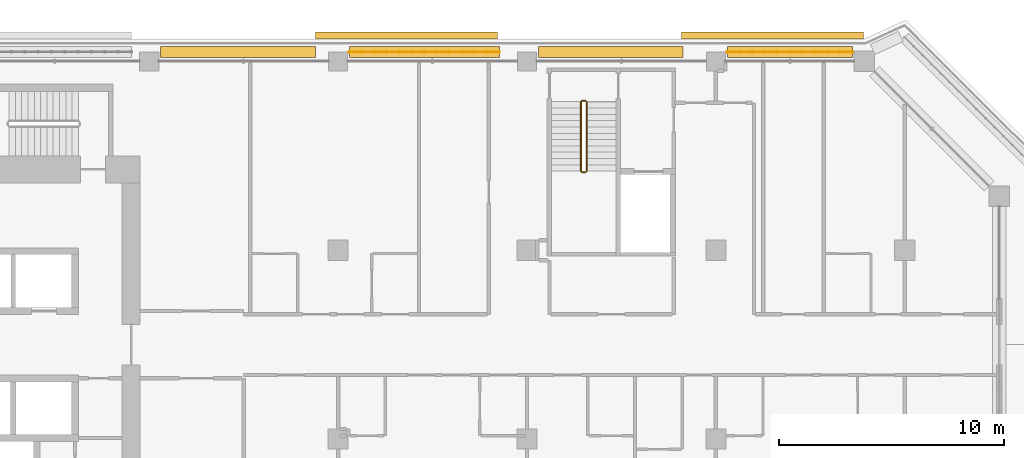
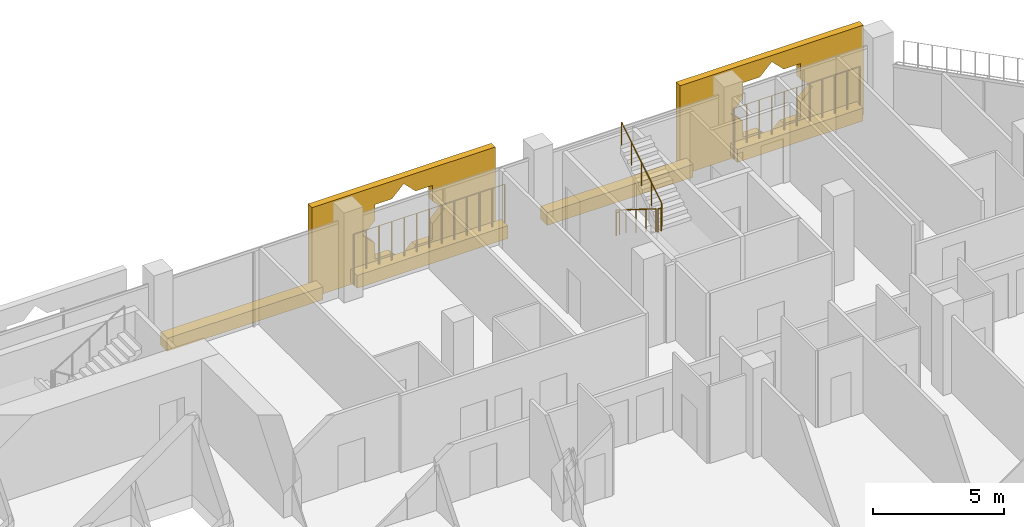
# One storey, part 22 of 23: 6 coverings, 6 railings.
"""IFC4 building model written with IfcOpenShell, lengths in metres."""

from ifc_helpers import new_model, si_unit, direction, frame, origin, origin_2d, place, context, subcontext, project, spatial, polyline, rectangle, circle, outline, extrude, material, material_profile, profile_set, type_object, element, save


model = new_model("IFC4")

# Units and contexts
model_context = context("Model", 3, precision=1e-05, world=origin(), true_north=direction((0.0, 1.0)))
body_context = subcontext(model_context, "Body", "Model", "MODEL_VIEW")
ifc_project = project(units=[si_unit("LENGTHUNIT", "METRE"), si_unit("AREAUNIT", "SQUARE_METRE"), si_unit("VOLUMEUNIT", "CUBIC_METRE"), si_unit("PLANEANGLEUNIT", "RADIAN"), si_unit("MASSUNIT", "GRAM", prefix="KILO")], contexts=[model_context])

# Site, building, storey
site_placement = place(None, origin())
site = spatial("IfcSite", under=ifc_project, at=site_placement, CompositionType="ELEMENT")
building_placement = place(site_placement, origin())
building = spatial("IfcBuilding", under=site, at=building_placement, Name="Kawkab Arch Medical Tower", CompositionType="ELEMENT")
storey_placement = place(building_placement, frame((0.0, 0.0, 247.39990234375)))
storey = spatial("IfcBuildingStorey", under=building, at=storey_placement, Name="L57", CompositionType="ELEMENT", Elevation=247.39990234375)

# Coverings
ifc_material_1 = material(Name="Bronze anodised aluminium mashrabiya panel, eight-point star pattern", Category="aluminium")
ifc_material_profile_1 = material_profile(ifc_material_1, outline(polyline([(-4.050048828125, -2.10009765625), (4.050048828125, -2.10009765625), (4.050048828125, 2.10009765625), (-4.050048828125, 2.10009765625), (-4.050048828125, -2.10009765625)]), holes=[polyline([(1.800048828125, 0.0), (1.272705078125, 0.527099609375), (1.272705078125, 1.272705078125), (0.527099609375, 1.272705078125), (0.0, 1.800048828125), (-0.527099609375, 1.272705078125), (-1.272705078125, 1.272705078125), (-1.272705078125, 0.527099609375), (-1.800048828125, 0.0), (-1.272705078125, -0.527099609375), (-1.272705078125, -1.272705078125), (-0.527099609375, -1.272705078125), (0.0, -1.800048828125), (0.527099609375, -1.272705078125), (1.272705078125, -1.272705078125), (1.272705078125, -0.527099609375), (1.800048828125, 0.0)])]), Name="Mashrabiya panel 8100x4200")
ifc_profile_set_1 = profile_set([ifc_material_profile_1], Name="Bronze anodised aluminium mashrabiya panel, eight-point star pattern")
covering_type_1 = type_object("IfcCoveringType", Name="Mashrabiya panel 8100 x 4200", PredefinedType="USERDEFINED", material=ifc_profile_set_1)
for number, where, z_axis, x_axis, name in (
    (1, (36.6435546875, 1.0, 1.7001953125), (0.0, 1.0, 0.0), (-1.0, 0.0, 0.0), "Mashrabiya panel L57.LOG-01-01.7"),
    (2, (52.910400390625, 1.0, 1.7001953125), (0.0, 1.0, 0.0), (-1.0, 0.0, 0.0), "Mashrabiya panel L57.LOG-01-01.8"),
):
    element("IfcCovering", number, at=place(storey_placement, frame(where, z_axis=z_axis, x_axis=x_axis)), inside=storey, type_object=covering_type_1, Name=name, ObjectType="SCREEN", PredefinedType="USERDEFINED", context=body_context, shape_type="SweptSolid", body=[
        extrude(outline(polyline([(-4.050048828125, -2.10009765625), (4.050048828125, -2.10009765625), (4.050048828125, 2.10009765625), (-4.050048828125, 2.10009765625), (-4.050048828125, -2.10009765625)]), holes=[polyline([(1.800048828125, 0.0), (1.272705078125, 0.527099609375), (1.272705078125, 1.272705078125), (0.527099609375, 1.272705078125), (0.0, 1.800048828125), (-0.527099609375, 1.272705078125), (-1.272705078125, 1.272705078125), (-1.272705078125, 0.527099609375), (-1.800048828125, 0.0), (-1.272705078125, -0.527099609375), (-1.272705078125, -1.272705078125), (-0.527099609375, -1.272705078125), (0.0, -1.800048828125), (0.527099609375, -1.272705078125), (1.272705078125, -1.272705078125), (1.272705078125, -0.527099609375), (1.800048828125, 0.0)])]), origin(), (0.0, 0.0, 1.0), 0.300048828125),
    ])
ifc_material_2 = material(Name="Planting soil in a precast trough", Category="concrete")
ifc_material_profile_2 = material_profile(ifc_material_2, rectangle(XDim=0.5, YDim=0.60009765625, at=origin_2d()), Name="Trough 500x600")
ifc_profile_set_2 = profile_set([ifc_material_profile_2], Name="Planting soil in a precast trough")
covering_type_2 = type_object("IfcCoveringType", Name="Planter trough 500 x 600", PredefinedType="USERDEFINED", material=ifc_profile_set_2)
covering_1_placement = place(storey_placement, frame((25.705078125, 0.419921875, 0.300048828125), z_axis=(1.0, 0.0, 0.0), x_axis=(0.0, 1.0, 0.0)))
element("IfcCovering", 3, at=covering_1_placement, inside=storey, type_object=covering_type_2, Name="Planter L57.LOG-01-01.20", ObjectType="PLANTER", PredefinedType="USERDEFINED", context=body_context, shape_type="SweptSolid", body=[
    extrude(rectangle(XDim=0.5, YDim=0.60009765625, at=origin_2d()), origin(), (0.0, 0.0, 1.0), 6.884033203125),
])
covering_2_placement = place(storey_placement, frame((34.10498046875, 0.419921875, 0.300048828125), z_axis=(1.0, 0.0, 0.0), x_axis=(0.0, 1.0, 0.0)))
element("IfcCovering", 4, at=covering_2_placement, inside=storey, type_object=covering_type_2, Name="Planter L57.LOG-01-01.21", ObjectType="PLANTER", PredefinedType="USERDEFINED", context=body_context, shape_type="SweptSolid", body=[
    extrude(rectangle(XDim=0.5, YDim=0.60009765625, at=origin_2d()), origin(), (0.0, 0.0, 1.0), 6.6630859375),
])
covering_3_placement = place(storey_placement, frame((42.5048828125, 0.419921875, 0.300048828125), z_axis=(1.0, 0.0, 0.0), x_axis=(0.0, 1.0, 0.0)))
element("IfcCovering", 5, at=covering_3_placement, inside=storey, type_object=covering_type_2, Name="Planter L57.LOG-01-01.22", ObjectType="PLANTER", PredefinedType="USERDEFINED", context=body_context, shape_type="SweptSolid", body=[
    extrude(rectangle(XDim=0.5, YDim=0.60009765625, at=origin_2d()), origin(), (0.0, 0.0, 1.0), 6.442138671875),
])
covering_4_placement = place(storey_placement, frame((50.905029296875, 0.419921875, 0.300048828125), z_axis=(1.0, 0.0, 0.0), x_axis=(0.0, 1.0, 0.0)))
element("IfcCovering", 6, at=covering_4_placement, inside=storey, type_object=covering_type_2, Name="Planter L57.LOG-01-01.23", ObjectType="PLANTER", PredefinedType="USERDEFINED", context=body_context, shape_type="SweptSolid", body=[
    extrude(rectangle(XDim=0.5, YDim=0.60009765625, at=origin_2d()), origin(), (0.0, 0.0, 1.0), 5.56494140625),
])

# Railings
ifc_material_3 = material(Name="Bronze anodised aluminium trellis for climbing plants", Category="aluminium")
railing_type_1 = type_object("IfcRailingType", Name="Planting trellis 2400", PredefinedType="USERDEFINED", material=ifc_material_3)
railing_1_placement = place(storey_placement, frame((34.10498046875, 0.419921875, 0.0)))
element("IfcRailing", 7, at=railing_1_placement, inside=storey, type_object=railing_type_1, Name="Planting trellis L57.LOG-01-01.21", ObjectType="TRELLIS", PredefinedType="USERDEFINED", context=body_context, shape_type="SweptSolid", body=[
    extrude(circle(Radius=0.01513671875, at=origin_2d()), frame((0.0, 0.0, 2.384765625), z_axis=(1.0, 0.0, 0.0), x_axis=(0.0, 1.0, 0.0)), (0.0, 0.0, 1.0), 6.6630859375),
    extrude(circle(Radius=0.030029296875, at=origin_2d()), origin(), (0.0, 0.0, 1.0), 2.369873046875),
    extrude(circle(Radius=0.030029296875, at=origin_2d()), frame((0.55517578125, 0.0, 0.0)), (0.0, 0.0, 1.0), 2.369873046875),
    extrude(circle(Radius=0.030029296875, at=origin_2d()), frame((1.110595703125, 0.0, 0.0)), (0.0, 0.0, 1.0), 2.369873046875),
    extrude(circle(Radius=0.030029296875, at=origin_2d()), frame((1.665771484375, 0.0, 0.0)), (0.0, 0.0, 1.0), 2.369873046875),
    extrude(circle(Radius=0.030029296875, at=origin_2d()), frame((2.220947265625, 0.0, 0.0)), (0.0, 0.0, 1.0), 2.369873046875),
    extrude(circle(Radius=0.030029296875, at=origin_2d()), frame((2.7763671875, 0.0, 0.0)), (0.0, 0.0, 1.0), 2.369873046875),
    extrude(circle(Radius=0.030029296875, at=origin_2d()), frame((3.33154296875, 0.0, 0.0)), (0.0, 0.0, 1.0), 2.369873046875),
    extrude(circle(Radius=0.030029296875, at=origin_2d()), frame((3.88671875, 0.0, 0.0)), (0.0, 0.0, 1.0), 2.369873046875),
    extrude(circle(Radius=0.030029296875, at=origin_2d()), frame((4.442138671875, 0.0, 0.0)), (0.0, 0.0, 1.0), 2.369873046875),
    extrude(circle(Radius=0.030029296875, at=origin_2d()), frame((4.997314453125, 0.0, 0.0)), (0.0, 0.0, 1.0), 2.369873046875),
    extrude(circle(Radius=0.030029296875, at=origin_2d()), frame((5.552490234375, 0.0, 0.0)), (0.0, 0.0, 1.0), 2.369873046875),
    extrude(circle(Radius=0.030029296875, at=origin_2d()), frame((6.10791015625, 0.0, 0.0)), (0.0, 0.0, 1.0), 2.369873046875),
    extrude(circle(Radius=0.030029296875, at=origin_2d()), frame((6.6630859375, 0.0, 0.0)), (0.0, 0.0, 1.0), 2.369873046875),
])
railing_2_placement = place(storey_placement, frame((50.905029296875, 0.419921875, 0.0)))
element("IfcRailing", 8, at=railing_2_placement, inside=storey, type_object=railing_type_1, Name="Planting trellis L57.LOG-01-01.23", ObjectType="TRELLIS", PredefinedType="USERDEFINED", context=body_context, shape_type="SweptSolid", body=[
    extrude(circle(Radius=0.01513671875, at=origin_2d()), frame((0.0, 0.0, 2.384765625), z_axis=(1.0, 0.0, 0.0), x_axis=(0.0, 1.0, 0.0)), (0.0, 0.0, 1.0), 5.56494140625),
    extrude(circle(Radius=0.030029296875, at=origin_2d()), origin(), (0.0, 0.0, 1.0), 2.369873046875),
    extrude(circle(Radius=0.030029296875, at=origin_2d()), frame((0.556396484375, 0.0, 0.0)), (0.0, 0.0, 1.0), 2.369873046875),
    extrude(circle(Radius=0.030029296875, at=origin_2d()), frame((1.113037109375, 0.0, 0.0)), (0.0, 0.0, 1.0), 2.369873046875),
    extrude(circle(Radius=0.030029296875, at=origin_2d()), frame((1.66943359375, 0.0, 0.0)), (0.0, 0.0, 1.0), 2.369873046875),
    extrude(circle(Radius=0.030029296875, at=origin_2d()), frame((2.22607421875, 0.0, 0.0)), (0.0, 0.0, 1.0), 2.369873046875),
    extrude(circle(Radius=0.030029296875, at=origin_2d()), frame((2.782470703125, 0.0, 0.0)), (0.0, 0.0, 1.0), 2.369873046875),
    extrude(circle(Radius=0.030029296875, at=origin_2d()), frame((3.3388671875, 0.0, 0.0)), (0.0, 0.0, 1.0), 2.369873046875),
    extrude(circle(Radius=0.030029296875, at=origin_2d()), frame((3.8955078125, 0.0, 0.0)), (0.0, 0.0, 1.0), 2.369873046875),
    extrude(circle(Radius=0.030029296875, at=origin_2d()), frame((4.451904296875, 0.0, 0.0)), (0.0, 0.0, 1.0), 2.369873046875),
    extrude(circle(Radius=0.030029296875, at=origin_2d()), frame((5.008544921875, 0.0, 0.0)), (0.0, 0.0, 1.0), 2.369873046875),
    extrude(circle(Radius=0.030029296875, at=origin_2d()), frame((5.56494140625, 0.0, 0.0)), (0.0, 0.0, 1.0), 2.369873046875),
])
ifc_material_4 = material(Name="Stainless steel", Category="steel")
railing_type_2 = type_object("IfcRailingType", Name="Stair guard 1100", PredefinedType="GUARDRAIL", material=ifc_material_4)
railing_3_placement = place(storey_placement, frame((44.39990234375, -1.800048828125, 0.175048828125)))
element("IfcRailing", 9, at=railing_3_placement, inside=storey, type_object=railing_type_2, Name="L57 ST5 stair guard 1", PredefinedType="GUARDRAIL", context=body_context, shape_type="SweptSolid", body=[
    extrude(circle(Radius=0.02392578125, at=origin_2d()), frame((0.0, 0.0, 1.076171875), z_axis=(0.0, -0.847979421464, 0.530029150871), x_axis=(1.0, 0.0, 0.0)), (0.0, 0.0, 1.0), 3.632080078125),
    extrude(circle(Radius=0.02099609375, at=origin_2d()), origin(), (0.0, 0.0, 1.0), 1.052001953125),
    extrude(circle(Radius=0.02099609375, at=origin_2d()), frame((0.0, -0.77001953125, 0.481201171875)), (0.0, 0.0, 1.0), 1.052001953125),
    extrude(circle(Radius=0.02099609375, at=origin_2d()), frame((0.0, -1.5400390625, 0.96240234375)), (0.0, 0.0, 1.0), 1.052001953125),
    extrude(circle(Radius=0.02099609375, at=origin_2d()), frame((0.0, -2.309814453125, 1.44384765625)), (0.0, 0.0, 1.0), 1.052001953125),
    extrude(circle(Radius=0.02099609375, at=origin_2d()), frame((0.0, -3.079833984375, 1.925048828125)), (0.0, 0.0, 1.0), 1.052001953125),
])
railing_4_placement = place(storey_placement, frame((44.449951171875, -4.929931640625, 2.10009765625)))
element("IfcRailing", 10, at=railing_4_placement, inside=storey, type_object=railing_type_2, Name="L57 ST5 stair guard 2", PredefinedType="GUARDRAIL", context=body_context, shape_type="SweptSolid", body=[
    extrude(circle(Radius=0.02392578125, at=origin_2d()), frame((0.0, 0.0, 1.076171875), z_axis=(1.0, 0.0, 0.0), x_axis=(0.0, 1.0, 0.0)), (0.0, 0.0, 1.0), 0.150146484375),
    extrude(circle(Radius=0.02099609375, at=origin_2d()), origin(), (0.0, 0.0, 1.0), 1.052001953125),
    extrude(circle(Radius=0.02099609375, at=origin_2d()), frame((0.150146484375, 0.0, 0.0)), (0.0, 0.0, 1.0), 1.052001953125),
])
railing_5_placement = place(storey_placement, frame((44.64990234375, -4.8798828125, 2.275146484375)))
element("IfcRailing", 11, at=railing_5_placement, inside=storey, type_object=railing_type_2, Name="L57 ST5 stair guard 3", PredefinedType="GUARDRAIL", context=body_context, shape_type="SweptSolid", body=[
    extrude(circle(Radius=0.02392578125, at=origin_2d()), frame((0.0, 0.0, 1.076171875), z_axis=(0.0, 0.847979421464, 0.530029150871), x_axis=(-1.0, 0.0, 0.0)), (0.0, 0.0, 1.0), 3.632080078125),
    extrude(circle(Radius=0.02099609375, at=origin_2d()), origin(), (0.0, 0.0, 1.0), 1.052001953125),
    extrude(circle(Radius=0.02099609375, at=origin_2d()), frame((0.0, 0.77001953125, 0.481201171875)), (0.0, 0.0, 1.0), 1.052001953125),
    extrude(circle(Radius=0.02099609375, at=origin_2d()), frame((0.0, 1.5400390625, 0.96240234375)), (0.0, 0.0, 1.0), 1.052001953125),
    extrude(circle(Radius=0.02099609375, at=origin_2d()), frame((0.0, 2.309814453125, 1.44384765625)), (0.0, 0.0, 1.0), 1.052001953125),
    extrude(circle(Radius=0.02099609375, at=origin_2d()), frame((0.0, 3.079833984375, 1.925048828125)), (0.0, 0.0, 1.0), 1.052001953125),
])
railing_6_placement = place(storey_placement, frame((44.449951171875, -1.75, 0.0)))
element("IfcRailing", 12, at=railing_6_placement, inside=storey, type_object=railing_type_2, Name="L57 ST5 stair guard 4", PredefinedType="GUARDRAIL", context=body_context, shape_type="SweptSolid", body=[
    extrude(circle(Radius=0.02392578125, at=origin_2d()), frame((0.0, 0.0, 1.076171875), z_axis=(1.0, 0.0, 0.0), x_axis=(0.0, 1.0, 0.0)), (0.0, 0.0, 1.0), 0.150146484375),
    extrude(circle(Radius=0.02099609375, at=origin_2d()), origin(), (0.0, 0.0, 1.0), 1.052001953125),
    extrude(circle(Radius=0.02099609375, at=origin_2d()), frame((0.150146484375, 0.0, 0.0)), (0.0, 0.0, 1.0), 1.052001953125),
])

save(model, "model.ifc")
